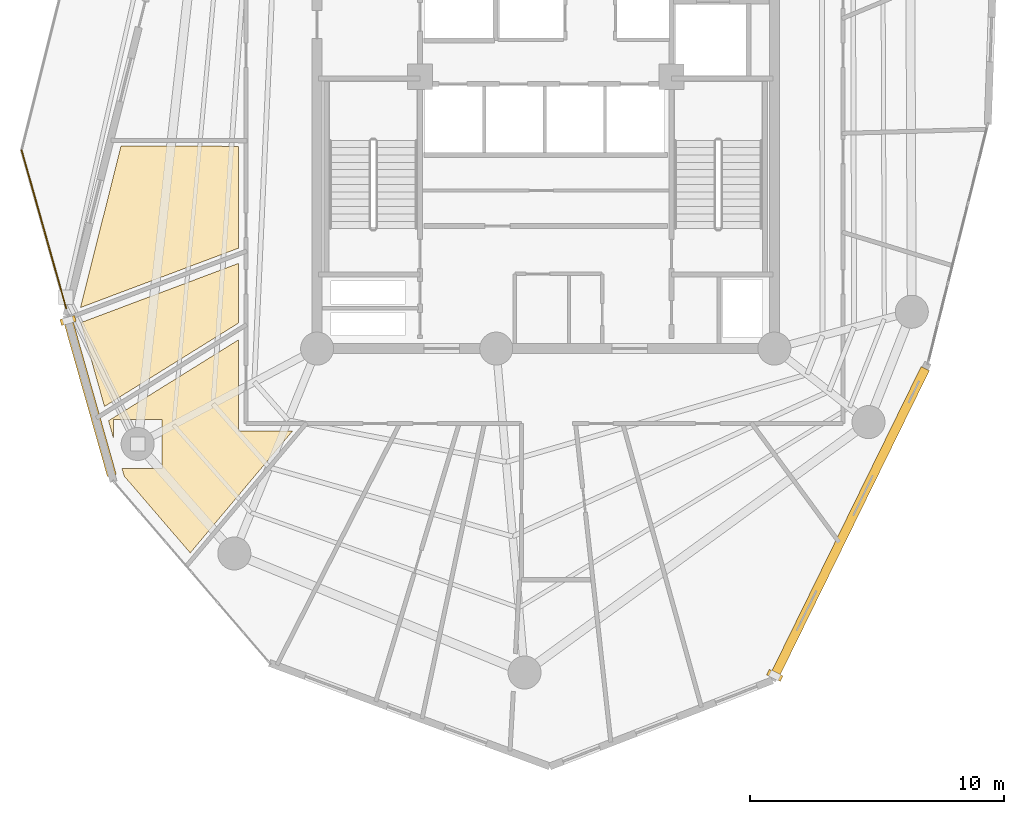
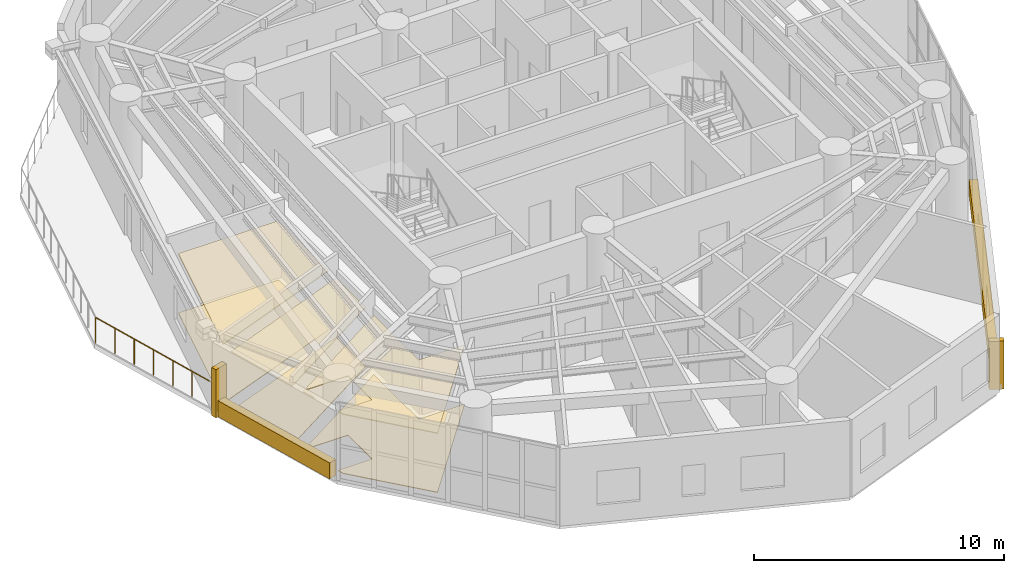
# One storey, part 12 of 14: 8 coverings, 2 shading devices, 1 railing.
"""IFC4 building model written with IfcOpenShell, lengths in metres."""

from ifc_helpers import new_model, si_unit, direction, frame, origin, origin_with_axes, origin_2d, place, context, subcontext, project, spatial, polyline, rectangle, circle, outline, extrude, source, transform, mapped, material, layer, layer_set, type_object, element, save


model = new_model("IFC4")

# Units and contexts
model_context = context("Model", 3, precision=1e-05, world=origin(), true_north=direction((0.0, 1.0)))
body_context = subcontext(model_context, "Body", "Model", "MODEL_VIEW")
ifc_project = project(units=[si_unit("LENGTHUNIT", "METRE"), si_unit("AREAUNIT", "SQUARE_METRE"), si_unit("VOLUMEUNIT", "CUBIC_METRE"), si_unit("PLANEANGLEUNIT", "RADIAN"), si_unit("MASSUNIT", "GRAM", prefix="KILO")], contexts=[model_context])

# Site, building, storey
site_placement = place(None, origin())
site = spatial("IfcSite", under=ifc_project, at=site_placement, CompositionType="ELEMENT")
building_placement = place(site_placement, origin())
building = spatial("IfcBuilding", under=site, at=building_placement, Name="Karkom Vertical University and Central Library", CompositionType="ELEMENT")
storey_placement = place(building_placement, frame((0.0, 0.0, 152.550048828125)))
storey = spatial("IfcBuildingStorey", under=building, at=storey_placement, Name="L43", CompositionType="ELEMENT", Elevation=152.550048828125)

# Railing
ifc_material_1 = material(Name="Architectural painted steel & laminated glass balustrade", Category="steel")
ifc_layer_1 = layer(ifc_material_1, 0.090087890625)
ifc_layer_set_1 = layer_set([ifc_layer_1], Name="Architectural painted steel & laminated glass balustrade")
railing_type = type_object("IfcRailingType", Name="ENV-RL-BAL1300", PredefinedType="BALUSTRADE", material=ifc_layer_set_1)
railing_placement = place(storey_placement, frame((9.622314453125, 19.889404296875, 0.0)))
element("IfcRailing", 1, at=railing_placement, inside=storey, type_object=railing_type, Name="Level 43 Planted Terrace Safety Balustrade 03", PredefinedType="BALUSTRADE", context=body_context, shape_type="SweptSolid", body=[
    extrude(circle(Radius=0.02392578125, at=origin_2d()), frame((0.0, 0.0, 1.27587890625), z_axis=(-0.271689950134, 0.962384835186, 0.0), x_axis=(-0.962384835186, -0.271689950134, 0.0)), (0.0, 0.0, 1.0), 6.4599609375),
    extrude(circle(Radius=0.02099609375, at=origin_2d()), origin(), (0.0, 0.0, 1.0), 1.251953125),
    extrude(circle(Radius=0.02099609375, at=origin_2d()), frame((-0.29248046875, 1.0361328125, 0.0)), (0.0, 0.0, 1.0), 1.251953125),
    extrude(circle(Radius=0.02099609375, at=origin_2d()), frame((-0.5849609375, 2.072265625, 0.0)), (0.0, 0.0, 1.0), 1.251953125),
    extrude(circle(Radius=0.02099609375, at=origin_2d()), frame((-0.87744140625, 3.1083984375, 0.0)), (0.0, 0.0, 1.0), 1.251953125),
    extrude(circle(Radius=0.02099609375, at=origin_2d()), frame((-1.170166015625, 4.144775390625, 0.0)), (0.0, 0.0, 1.0), 1.251953125),
    extrude(circle(Radius=0.02099609375, at=origin_2d()), frame((-1.462646484375, 5.180908203125, 0.0)), (0.0, 0.0, 1.0), 1.251953125),
    extrude(circle(Radius=0.02099609375, at=origin_2d()), frame((-1.755126953125, 6.217041015625, 0.0)), (0.0, 0.0, 1.0), 1.251953125),
])

# Coverings
ifc_material_2 = material(Name="Perforated mineral-fibre & timber-slat acoustic ceiling", Category="wood")
ifc_layer_2 = layer(ifc_material_2, 0.044921875)
ifc_layer_set_2 = layer_set([ifc_layer_2], Name="Perforated mineral-fibre & timber-slat acoustic ceiling")
covering_type_1 = type_object("IfcCoveringType", Name="INT-COV-CEIL", PredefinedType="CEILING", material=ifc_layer_set_2)
covering_1_placement = place(storey_placement, frame((0.0, 0.0, 2.8798828125)))
element("IfcCovering", 2, at=covering_1_placement, inside=storey, type_object=covering_type_1, Name="Level 43 Suspended Acoustic Ceiling L43-01", PredefinedType="CEILING", context=body_context, shape_type="SweptSolid", body=[
    extrude(outline(polyline([(10.185302734375, 19.91455078125), (11.781494140625, 26.2783203125), (16.39990234375, 26.26220703125), (16.39990234375, 22.25048828125), (10.185302734375, 19.91455078125)])), origin(), (0.0, 0.0, 1.0), 0.045166015625),
])
covering_2_placement = place(storey_placement, frame((0.0, 0.0, 2.8798828125)))
element("IfcCovering", 3, at=covering_2_placement, inside=storey, type_object=covering_type_1, Name="Level 43 Suspended Acoustic Ceiling L43-02", PredefinedType="CEILING", context=body_context, shape_type="SweptSolid", body=[
    extrude(outline(polyline([(16.39990234375, 19.300048828125), (11.130126953125, 16.020751953125), (10.198486328125, 19.321044921875), (16.39990234375, 21.65234375), (16.39990234375, 19.300048828125)])), origin(), (0.0, 0.0, 1.0), 0.045166015625),
])
covering_3_placement = place(storey_placement, frame((0.0, 0.0, 2.8798828125)))
element("IfcCovering", 4, at=covering_3_placement, inside=storey, type_object=covering_type_1, Name="Level 43 Suspended Acoustic Ceiling L43-03", PredefinedType="CEILING", context=body_context, shape_type="SweptSolid", body=[
    extrude(outline(polyline([(11.47607421875, 14.7958984375), (11.28857421875, 15.459716796875), (16.39990234375, 18.640380859375), (16.39990234375, 15.050048828125), (18.52685546875, 15.050048828125), (14.505126953125, 10.257080078125), (11.903076171875, 13.283447265625), (11.818115234375, 13.583984375), (13.39599609375, 13.583984375), (13.39599609375, 15.50390625), (11.47607421875, 15.50390625), (11.47607421875, 14.7958984375)])), origin(), (0.0, 0.0, 1.0), 0.045166015625),
])
ifc_material_3 = material(Name="Honed Kota limestone & terrazzo flooring", Category="masonry")
ifc_layer_3 = layer(ifc_material_3, 0.030029296875)
ifc_layer_set_3 = layer_set([ifc_layer_3], Name="Honed Kota limestone & terrazzo flooring")
covering_type_2 = type_object("IfcCoveringType", Name="INT-COV-FLOOR", PredefinedType="FLOORING", material=ifc_layer_set_3)
covering_4_placement = place(storey_placement, origin())
element("IfcCovering", 5, at=covering_4_placement, inside=storey, type_object=covering_type_2, Name="Level 43 Kota Stone Floor Finish L43-01", PredefinedType="FLOORING", context=body_context, shape_type="SweptSolid", body=[
    extrude(outline(polyline([(10.185302734375, 19.91455078125), (11.781494140625, 26.2783203125), (16.39990234375, 26.26220703125), (16.39990234375, 22.25048828125), (10.185302734375, 19.91455078125)])), origin(), (0.0, 0.0, 1.0), 0.030029296875),
])
covering_5_placement = place(storey_placement, origin())
element("IfcCovering", 6, at=covering_5_placement, inside=storey, type_object=covering_type_2, Name="Level 43 Kota Stone Floor Finish L43-02", PredefinedType="FLOORING", context=body_context, shape_type="SweptSolid", body=[
    extrude(outline(polyline([(16.39990234375, 19.300048828125), (11.130126953125, 16.020751953125), (10.198486328125, 19.321044921875), (16.39990234375, 21.65234375), (16.39990234375, 19.300048828125)])), origin(), (0.0, 0.0, 1.0), 0.030029296875),
])
covering_6_placement = place(storey_placement, origin())
element("IfcCovering", 7, at=covering_6_placement, inside=storey, type_object=covering_type_2, Name="Level 43 Kota Stone Floor Finish L43-03", PredefinedType="FLOORING", context=body_context, shape_type="SweptSolid", body=[
    extrude(outline(polyline([(11.47607421875, 14.7958984375), (11.28857421875, 15.459716796875), (16.39990234375, 18.640380859375), (16.39990234375, 15.050048828125), (18.52685546875, 15.050048828125), (14.505126953125, 10.257080078125), (11.903076171875, 13.283447265625), (11.818115234375, 13.583984375), (13.39599609375, 13.583984375), (13.39599609375, 15.50390625), (11.47607421875, 15.50390625), (11.47607421875, 14.7958984375)])), origin(), (0.0, 0.0, 1.0), 0.030029296875),
])
ifc_material_4 = material(Name="Hand-pressed red-ochre terracotta brick slip cladding", Category="masonry")
ifc_layer_4 = layer(ifc_material_4, 0.090087890625)
ifc_layer_set_4 = layer_set([ifc_layer_4], Name="Hand-pressed red-ochre terracotta brick slip cladding")
covering_type_3 = type_object("IfcCoveringType", Name="ENV-COV-CLAD", PredefinedType="CLADDING", material=ifc_layer_set_4)
shared_shape_1 = source(origin_with_axes(), body_context, "Body", "SweptSolid", [
    extrude(rectangle(XDim=6.31298828125, YDim=0.360107421875, at=origin_2d()), origin(), (0.0, 0.0, 1.0), 0.780029296875),
])
covering_7_placement = place(storey_placement, frame((10.562255859375, 16.339111328125, 0.0), z_axis=(0.0, 0.0, 1.0), x_axis=(0.271776393577, -0.962360427228, 0.0)))
element("IfcCovering", 8, at=covering_7_placement, inside=storey, type_object=covering_type_3, Name="Level 43 Terracotta Spandrel Cladding 01", PredefinedType="CLADDING", context=body_context, shape_type="MappedRepresentation", body=[
    mapped(shared_shape_1, transform((0.0, 0.0, 0.0), scale=1.0)),
])

# Shading devices
ifc_material_5 = material(Name="Terracotta-clad precast concrete sun-breaker fin C45/55", Category="masonry")
shading_device_type = type_object("IfcShadingDeviceType", Name="ENV-SHD-BRISE", PredefinedType="USERDEFINED", material=ifc_material_5)
shared_shape_2 = source(origin_with_axes(), body_context, "Body", "SweptSolid", [
    extrude(rectangle(XDim=0.239990234375, YDim=0.60009765625, at=origin_2d()), origin(), (0.0, 0.0, 1.0), 2.35009765625),
])
for number, where, z_axis, x_axis, name in (
    (9, (9.6962890625, 19.406005859375, 0.0), (0.0, 0.0, 1.0), (0.271776393577, -0.962360427228, 0.0), "Level 43 Brutalist Brise-Soleil Fin 01"),
    (10, (37.5166015625, 5.435791015625, 0.0), (0.0, 0.0, 1.0), (0.440252613806, 0.897873953312, 0.0), "Level 43 Brutalist Brise-Soleil Fin 05"),
):
    element("IfcShadingDevice", number, at=place(storey_placement, frame(where, z_axis=z_axis, x_axis=x_axis)), inside=storey, type_object=shading_device_type, Name=name, ObjectType="BRISE SOLEIL", PredefinedType="USERDEFINED", context=body_context, shape_type="MappedRepresentation", body=[
        mapped(shared_shape_2, transform((0.0, 0.0, 0.0), scale=1.0)),
    ])

# Covering
shared_shape_3 = source(origin_with_axes(), body_context, "Body", "SweptSolid", [
    extrude(rectangle(XDim=13.422119140625, YDim=0.360107421875, at=origin_2d()), origin(), (0.0, 0.0, 1.0), 0.780029296875),
])
covering_8_placement = place(storey_placement, frame((40.48388671875, 11.48876953125, 0.0), z_axis=(0.0, 0.0, 1.0), x_axis=(0.440252613806, 0.897873953312, 0.0)))
element("IfcCovering", 11, at=covering_8_placement, inside=storey, type_object=covering_type_3, Name="Level 43 Terracotta Spandrel Cladding 05", PredefinedType="CLADDING", context=body_context, shape_type="MappedRepresentation", body=[
    mapped(shared_shape_3, transform((0.0, 0.0, 0.0), scale=1.0)),
])

save(model, "model.ifc")
